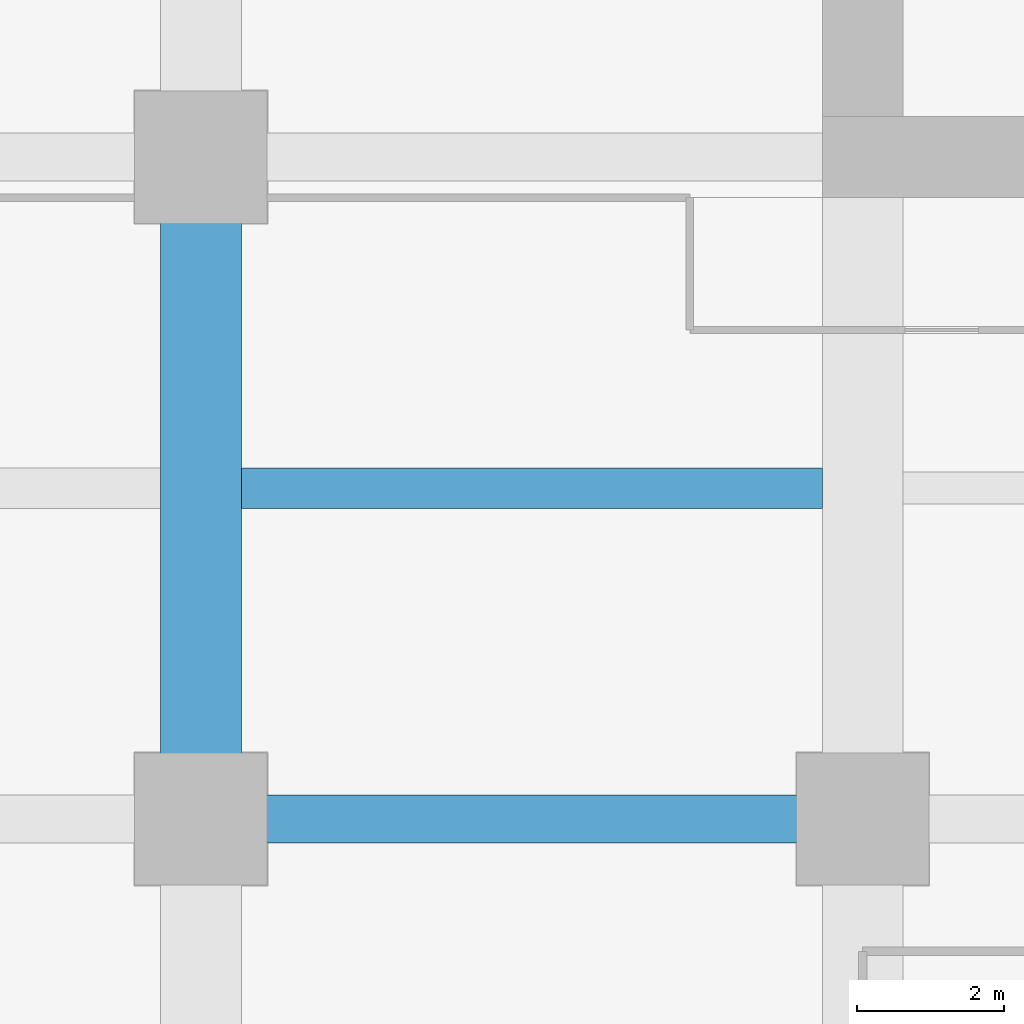
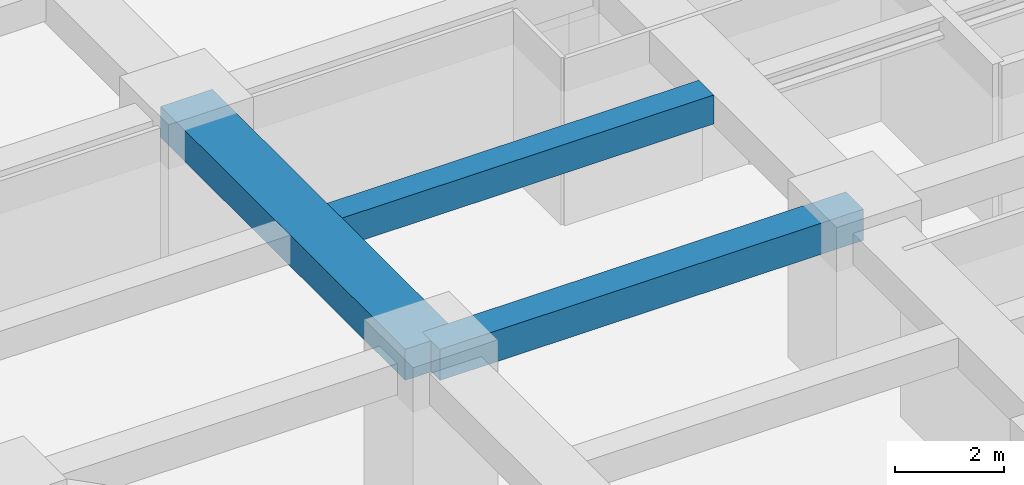
# One storey, part 5 of 39: 3 beams.
"""IFC4 building model written with IfcOpenShell, lengths in metres."""

from ifc_helpers import new_model, si_unit, direction, frame, origin, origin_2d, place, context, subcontext, project, spatial, rectangle, extrude, material, material_profile, profile_set, type_object, element, save


model = new_model("IFC4")

# Units and contexts
model_context = context("Model", 3, precision=1e-05, world=origin(), true_north=direction((0.0, 1.0)))
body_context = subcontext(model_context, "Body", "Model", "MODEL_VIEW")
ifc_project = project(units=[si_unit("LENGTHUNIT", "METRE"), si_unit("AREAUNIT", "SQUARE_METRE"), si_unit("VOLUMEUNIT", "CUBIC_METRE"), si_unit("PLANEANGLEUNIT", "RADIAN"), si_unit("MASSUNIT", "GRAM", prefix="KILO")], contexts=[model_context])

# Site, building, storey
site_placement = place(None, origin())
site = spatial("IfcSite", under=ifc_project, at=site_placement, CompositionType="ELEMENT")
building_placement = place(site_placement, origin())
building = spatial("IfcBuilding", under=site, at=building_placement, Name="Zorevar Civic Tower", CompositionType="ELEMENT")
storey_placement = place(building_placement, frame((0.0, 0.0, 125.0)))
storey = spatial("IfcBuildingStorey", under=building, at=storey_placement, Name="L30", CompositionType="ELEMENT", Elevation=125.0)

# Beams
ifc_material_1 = material(Name="Concrete C50/60", Category="concrete")
ifc_material_profile_1 = material_profile(ifc_material_1, rectangle(XDim=1.10009765625, YDim=0.699951171875, at=origin_2d()), Name="RC 1100x700")
ifc_profile_set_1 = profile_set([ifc_material_profile_1], Name="Concrete C50/60")
beam_type_1 = type_object("IfcBeamType", Name="Beam RC 1100x700", PredefinedType="BEAM", material=ifc_profile_set_1)
beam_1_placement = place(storey_placement, frame((9.0, 9.0, 3.39990234375), z_axis=(0.0, 1.0, 0.0), x_axis=(-1.0, 0.0, 0.0)))
element("IfcBeam", 1, at=beam_1_placement, inside=storey, type_object=beam_type_1, Name="Girder L31", PredefinedType="BEAM", context=body_context, shape_type="SweptSolid", body=[
    extrude(rectangle(XDim=1.10009765625, YDim=0.699951171875, at=origin_2d()), origin(), (0.0, 0.0, 1.0), 9.0),
])
ifc_material_2 = material(Name="Concrete C50/60", Category="concrete")
ifc_material_profile_2 = material_profile(ifc_material_2, rectangle(XDim=0.550048828125, YDim=0.64990234375, at=origin_2d()), Name="RC 550x650")
ifc_profile_set_2 = profile_set([ifc_material_profile_2], Name="Concrete C50/60")
beam_type_2 = type_object("IfcBeamType", Name="Beam RC 550x650", PredefinedType="BEAM", material=ifc_profile_set_2)
beam_2_placement = place(storey_placement, frame((9.550048828125, 13.5, 3.425048828125), z_axis=(1.0, 0.0, 0.0), x_axis=(0.0, 1.0, 0.0)))
element("IfcBeam", 2, at=beam_2_placement, inside=storey, type_object=beam_type_2, Name="Secondary beam L31", PredefinedType="BEAM", context=body_context, shape_type="SweptSolid", body=[
    extrude(rectangle(XDim=0.550048828125, YDim=0.64990234375, at=origin_2d()), origin(), (0.0, 0.0, 1.0), 7.89990234375),
])
ifc_material_3 = material(Name="Concrete C50/60", Category="concrete")
ifc_material_profile_3 = material_profile(ifc_material_3, rectangle(XDim=0.64990234375, YDim=0.699951171875, at=origin_2d()), Name="RC 650x700")
ifc_profile_set_3 = profile_set([ifc_material_profile_3], Name="Concrete C50/60")
beam_type_3 = type_object("IfcBeamType", Name="Beam RC 650x700", PredefinedType="BEAM", material=ifc_profile_set_3)
beam_3_placement = place(storey_placement, frame((9.0, 9.0, 3.39990234375), z_axis=(1.0, 0.0, 0.0), x_axis=(0.0, 1.0, 0.0)))
element("IfcBeam", 3, at=beam_3_placement, inside=storey, type_object=beam_type_3, Name="Girder L31", PredefinedType="BEAM", context=body_context, shape_type="SweptSolid", body=[
    extrude(rectangle(XDim=0.64990234375, YDim=0.699951171875, at=origin_2d()), origin(), (0.0, 0.0, 1.0), 9.0),
])

save(model, "model.ifc")
